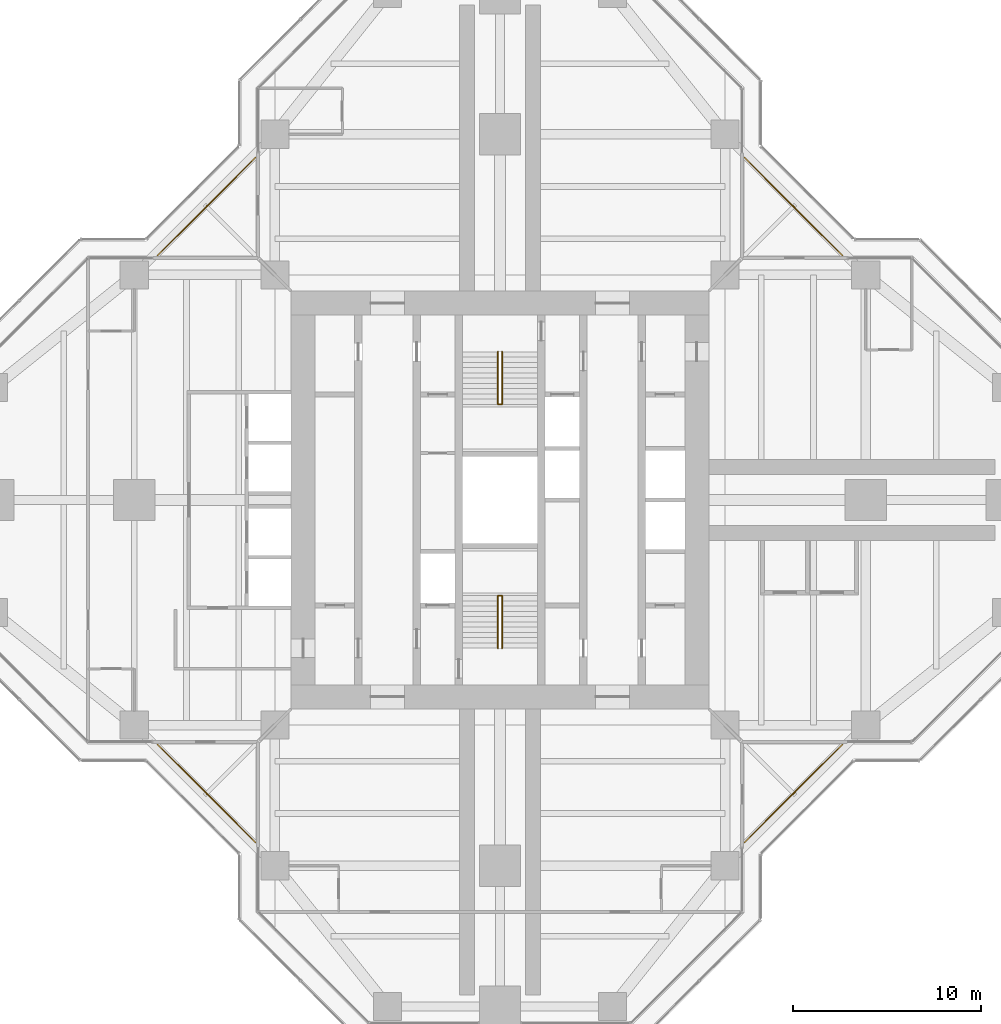
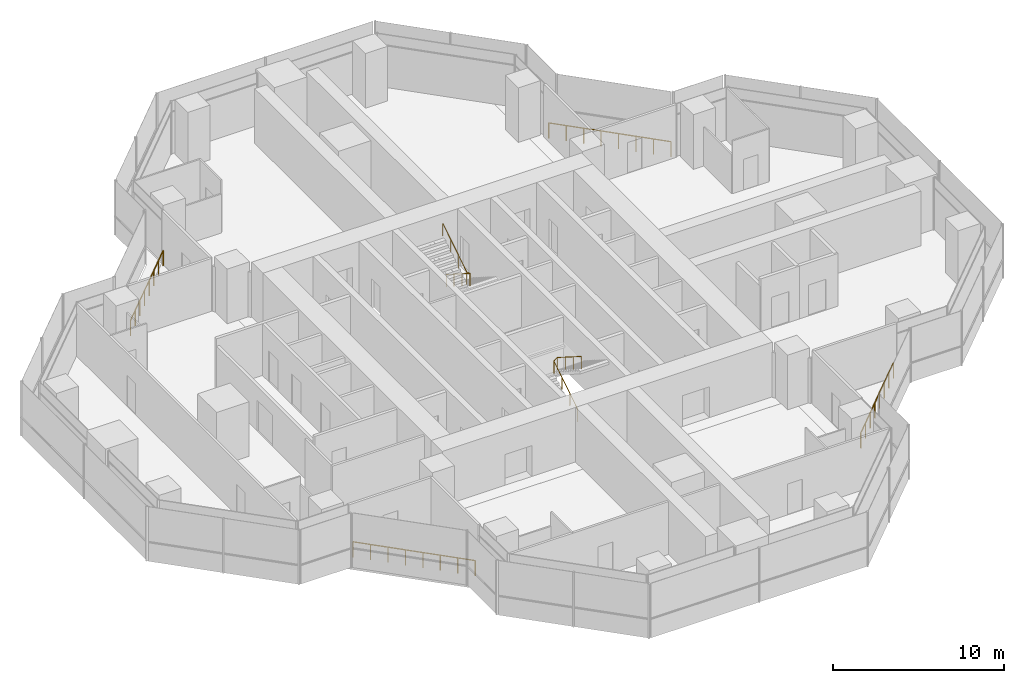
# One storey, part 17 of 17: 6 railings.
"""IFC4 building model written with IfcOpenShell, lengths in metres."""

from ifc_helpers import new_model, si_unit, direction, frame, origin, origin_2d, place, context, subcontext, project, spatial, circle, extrude, material, type_object, element, save


model = new_model("IFC4")

# Units and contexts
model_context = context("Model", 3, precision=1e-05, world=origin(), true_north=direction((0.0, 1.0)))
body_context = subcontext(model_context, "Body", "Model", "MODEL_VIEW")
ifc_project = project(units=[si_unit("LENGTHUNIT", "METRE"), si_unit("AREAUNIT", "SQUARE_METRE"), si_unit("VOLUMEUNIT", "CUBIC_METRE"), si_unit("PLANEANGLEUNIT", "RADIAN"), si_unit("MASSUNIT", "GRAM", prefix="KILO")], contexts=[model_context])

# Site, building, storey
site_placement = place(None, origin())
site = spatial("IfcSite", under=ifc_project, at=site_placement, CompositionType="ELEMENT")
building_placement = place(site_placement, origin())
building = spatial("IfcBuilding", under=site, at=building_placement, Name="Mizan Broadcast Tower", CompositionType="ELEMENT")
storey_placement = place(building_placement, frame((0.0, 0.0, 243.89990234375)))
storey = spatial("IfcBuildingStorey", under=building, at=storey_placement, Name="L57", CompositionType="ELEMENT", Elevation=243.89990234375)

# Railings
ifc_material_1 = material(Name="Stainless steel and glass guard", Category="steel")
railing_type_1 = type_object("IfcRailingType", Name="GUARD 1100", PredefinedType="GUARDRAIL", material=ifc_material_1)
railing_1_placement = place(storey_placement, frame((18.2578125, 13.030029296875, 0.0)))
element("IfcRailing", 1, at=railing_1_placement, inside=storey, type_object=railing_type_1, Name="Winter garden guard L57 E", PredefinedType="GUARDRAIL", context=body_context, shape_type="SweptSolid", body=[
    extrude(circle(Radius=0.02392578125, at=origin_2d()), frame((0.0, 0.0, 1.076171875), z_axis=(-0.707106781187, 0.707106781187, 0.0), x_axis=(-0.707106781187, -0.707106781187, 0.0)), (0.0, 0.0, 1.0), 7.393310546875),
    extrude(circle(Radius=0.02099609375, at=origin_2d()), origin(), (0.0, 0.0, 1.0), 1.052001953125),
    extrude(circle(Radius=0.02099609375, at=origin_2d()), frame((-0.746826171875, 0.746826171875, 0.0)), (0.0, 0.0, 1.0), 1.052001953125),
    extrude(circle(Radius=0.02099609375, at=origin_2d()), frame((-1.49365234375, 1.49365234375, 0.0)), (0.0, 0.0, 1.0), 1.052001953125),
    extrude(circle(Radius=0.02099609375, at=origin_2d()), frame((-2.240478515625, 2.240478515625, 0.0)), (0.0, 0.0, 1.0), 1.052001953125),
    extrude(circle(Radius=0.02099609375, at=origin_2d()), frame((-2.9873046875, 2.9873046875, 0.0)), (0.0, 0.0, 1.0), 1.052001953125),
    extrude(circle(Radius=0.02099609375, at=origin_2d()), frame((-3.734130859375, 3.734130859375, 0.0)), (0.0, 0.0, 1.0), 1.052001953125),
    extrude(circle(Radius=0.02099609375, at=origin_2d()), frame((-4.48095703125, 4.48095703125, 0.0)), (0.0, 0.0, 1.0), 1.052001953125),
    extrude(circle(Radius=0.02099609375, at=origin_2d()), frame((-5.227783203125, 5.227783203125, 0.0)), (0.0, 0.0, 1.0), 1.052001953125),
])
railing_2_placement = place(storey_placement, frame((-13.030029296875, 18.2578125, 0.0)))
element("IfcRailing", 2, at=railing_2_placement, inside=storey, type_object=railing_type_1, Name="Winter garden guard L57 N", PredefinedType="GUARDRAIL", context=body_context, shape_type="SweptSolid", body=[
    extrude(circle(Radius=0.02392578125, at=origin_2d()), frame((0.0, 0.0, 1.076171875), z_axis=(-0.707106781187, -0.707106781187, 0.0), x_axis=(0.707106781187, -0.707106781187, 0.0)), (0.0, 0.0, 1.0), 7.393310546875),
    extrude(circle(Radius=0.02099609375, at=origin_2d()), origin(), (0.0, 0.0, 1.0), 1.052001953125),
    extrude(circle(Radius=0.02099609375, at=origin_2d()), frame((-0.746826171875, -0.746826171875, 0.0)), (0.0, 0.0, 1.0), 1.052001953125),
    extrude(circle(Radius=0.02099609375, at=origin_2d()), frame((-1.49365234375, -1.49365234375, 0.0)), (0.0, 0.0, 1.0), 1.052001953125),
    extrude(circle(Radius=0.02099609375, at=origin_2d()), frame((-2.240478515625, -2.240478515625, 0.0)), (0.0, 0.0, 1.0), 1.052001953125),
    extrude(circle(Radius=0.02099609375, at=origin_2d()), frame((-2.9873046875, -2.9873046875, 0.0)), (0.0, 0.0, 1.0), 1.052001953125),
    extrude(circle(Radius=0.02099609375, at=origin_2d()), frame((-3.734130859375, -3.734130859375, 0.0)), (0.0, 0.0, 1.0), 1.052001953125),
    extrude(circle(Radius=0.02099609375, at=origin_2d()), frame((-4.48095703125, -4.48095703125, 0.0)), (0.0, 0.0, 1.0), 1.052001953125),
    extrude(circle(Radius=0.02099609375, at=origin_2d()), frame((-5.227783203125, -5.227783203125, 0.0)), (0.0, 0.0, 1.0), 1.052001953125),
])
railing_3_placement = place(storey_placement, frame((-18.2578125, -13.030029296875, 0.0)))
element("IfcRailing", 3, at=railing_3_placement, inside=storey, type_object=railing_type_1, Name="Winter garden guard L57 W", PredefinedType="GUARDRAIL", context=body_context, shape_type="SweptSolid", body=[
    extrude(circle(Radius=0.02392578125, at=origin_2d()), frame((0.0, 0.0, 1.076171875), z_axis=(0.707106781187, -0.707106781187, 0.0), x_axis=(0.707106781187, 0.707106781187, 0.0)), (0.0, 0.0, 1.0), 7.393310546875),
    extrude(circle(Radius=0.02099609375, at=origin_2d()), origin(), (0.0, 0.0, 1.0), 1.052001953125),
    extrude(circle(Radius=0.02099609375, at=origin_2d()), frame((0.746826171875, -0.746826171875, 0.0)), (0.0, 0.0, 1.0), 1.052001953125),
    extrude(circle(Radius=0.02099609375, at=origin_2d()), frame((1.49365234375, -1.49365234375, 0.0)), (0.0, 0.0, 1.0), 1.052001953125),
    extrude(circle(Radius=0.02099609375, at=origin_2d()), frame((2.240478515625, -2.240478515625, 0.0)), (0.0, 0.0, 1.0), 1.052001953125),
    extrude(circle(Radius=0.02099609375, at=origin_2d()), frame((2.9873046875, -2.9873046875, 0.0)), (0.0, 0.0, 1.0), 1.052001953125),
    extrude(circle(Radius=0.02099609375, at=origin_2d()), frame((3.734130859375, -3.734130859375, 0.0)), (0.0, 0.0, 1.0), 1.052001953125),
    extrude(circle(Radius=0.02099609375, at=origin_2d()), frame((4.48095703125, -4.48095703125, 0.0)), (0.0, 0.0, 1.0), 1.052001953125),
    extrude(circle(Radius=0.02099609375, at=origin_2d()), frame((5.227783203125, -5.227783203125, 0.0)), (0.0, 0.0, 1.0), 1.052001953125),
])
railing_4_placement = place(storey_placement, frame((13.030029296875, -18.2578125, 0.0)))
element("IfcRailing", 4, at=railing_4_placement, inside=storey, type_object=railing_type_1, Name="Winter garden guard L57 S", PredefinedType="GUARDRAIL", context=body_context, shape_type="SweptSolid", body=[
    extrude(circle(Radius=0.02392578125, at=origin_2d()), frame((0.0, 0.0, 1.076171875), z_axis=(0.707106781187, 0.707106781187, 0.0), x_axis=(-0.707106781187, 0.707106781187, 0.0)), (0.0, 0.0, 1.0), 7.393310546875),
    extrude(circle(Radius=0.02099609375, at=origin_2d()), origin(), (0.0, 0.0, 1.0), 1.052001953125),
    extrude(circle(Radius=0.02099609375, at=origin_2d()), frame((0.746826171875, 0.746826171875, 0.0)), (0.0, 0.0, 1.0), 1.052001953125),
    extrude(circle(Radius=0.02099609375, at=origin_2d()), frame((1.49365234375, 1.49365234375, 0.0)), (0.0, 0.0, 1.0), 1.052001953125),
    extrude(circle(Radius=0.02099609375, at=origin_2d()), frame((2.240478515625, 2.240478515625, 0.0)), (0.0, 0.0, 1.0), 1.052001953125),
    extrude(circle(Radius=0.02099609375, at=origin_2d()), frame((2.9873046875, 2.9873046875, 0.0)), (0.0, 0.0, 1.0), 1.052001953125),
    extrude(circle(Radius=0.02099609375, at=origin_2d()), frame((3.734130859375, 3.734130859375, 0.0)), (0.0, 0.0, 1.0), 1.052001953125),
    extrude(circle(Radius=0.02099609375, at=origin_2d()), frame((4.48095703125, 4.48095703125, 0.0)), (0.0, 0.0, 1.0), 1.052001953125),
    extrude(circle(Radius=0.02099609375, at=origin_2d()), frame((5.227783203125, 5.227783203125, 0.0)), (0.0, 0.0, 1.0), 1.052001953125),
])
ifc_material_2 = material(Name="Stainless steel", Category="steel")
railing_type_2 = type_object("IfcRailingType", Name="HANDRAIL 50", PredefinedType="HANDRAIL", material=ifc_material_2)
railing_5_placement = place(storey_placement, frame((-0.110107421875, -7.89990234375, 0.177490234375)))
element("IfcRailing", 5, at=railing_5_placement, inside=storey, type_object=railing_type_2, Name="Stair A handrail", PredefinedType="HANDRAIL", context=body_context, shape_type="SweptSolid", body=[
    extrude(circle(Radius=0.02392578125, at=origin_2d()), frame((0.0, 0.0, 0.8759765625), z_axis=(0.0, 0.844887892834, 0.53494340686), x_axis=(-1.0, 0.0, 0.0)), (0.0, 0.0, 1.0), 3.313720703125),
    extrude(circle(Radius=0.02392578125, at=origin_2d()), frame((0.0, 2.7998046875, 2.6484375), z_axis=(0.779011685263, 0.0, 0.627009405212), x_axis=(0.0, 1.0, 0.0)), (0.0, 0.0, 1.0), 0.28271484375),
    extrude(circle(Radius=0.02392578125, at=origin_2d()), frame((0.22021484375, 2.7998046875, 2.82568359375), z_axis=(0.0, -0.844887892834, 0.53494340686), x_axis=(1.0, 0.0, 0.0)), (0.0, 0.0, 1.0), 3.313720703125),
    extrude(circle(Radius=0.02099609375, at=origin_2d()), origin(), (0.0, 0.0, 1.0), 0.851806640625),
    extrude(circle(Radius=0.02099609375, at=origin_2d()), frame((0.0, 0.933349609375, 0.5908203125)), (0.0, 0.0, 1.0), 0.851806640625),
    extrude(circle(Radius=0.02099609375, at=origin_2d()), frame((0.0, 1.866455078125, 1.181884765625)), (0.0, 0.0, 1.0), 0.851806640625),
    extrude(circle(Radius=0.02099609375, at=origin_2d()), frame((0.0, 2.7998046875, 1.772705078125)), (0.0, 0.0, 1.0), 0.851806640625),
    extrude(circle(Radius=0.02099609375, at=origin_2d()), frame((0.22021484375, 2.7998046875, 1.949951171875)), (0.0, 0.0, 1.0), 0.851806640625),
    extrude(circle(Radius=0.02099609375, at=origin_2d()), frame((0.22021484375, 1.866455078125, 2.540771484375)), (0.0, 0.0, 1.0), 0.851806640625),
    extrude(circle(Radius=0.02099609375, at=origin_2d()), frame((0.22021484375, 0.933349609375, 3.1318359375)), (0.0, 0.0, 1.0), 0.851806640625),
    extrude(circle(Radius=0.02099609375, at=origin_2d()), frame((0.22021484375, 0.0, 3.72265625)), (0.0, 0.0, 1.0), 0.851806640625),
])
railing_6_placement = place(storey_placement, frame((0.110107421875, 7.89990234375, 0.177490234375)))
element("IfcRailing", 6, at=railing_6_placement, inside=storey, type_object=railing_type_2, Name="Stair B handrail", PredefinedType="HANDRAIL", context=body_context, shape_type="SweptSolid", body=[
    extrude(circle(Radius=0.02392578125, at=origin_2d()), frame((0.0, 0.0, 0.8759765625), z_axis=(0.0, -0.844887892834, 0.53494340686), x_axis=(1.0, 0.0, 0.0)), (0.0, 0.0, 1.0), 3.313720703125),
    extrude(circle(Radius=0.02392578125, at=origin_2d()), frame((0.0, -2.7998046875, 2.6484375), z_axis=(-0.779011685263, 0.0, 0.627009405212), x_axis=(0.0, -1.0, 0.0)), (0.0, 0.0, 1.0), 0.28271484375),
    extrude(circle(Radius=0.02392578125, at=origin_2d()), frame((-0.22021484375, -2.7998046875, 2.82568359375), z_axis=(0.0, 0.844887892834, 0.53494340686), x_axis=(-1.0, 0.0, 0.0)), (0.0, 0.0, 1.0), 3.313720703125),
    extrude(circle(Radius=0.02099609375, at=origin_2d()), origin(), (0.0, 0.0, 1.0), 0.851806640625),
    extrude(circle(Radius=0.02099609375, at=origin_2d()), frame((0.0, -0.933349609375, 0.5908203125)), (0.0, 0.0, 1.0), 0.851806640625),
    extrude(circle(Radius=0.02099609375, at=origin_2d()), frame((0.0, -1.866455078125, 1.181884765625)), (0.0, 0.0, 1.0), 0.851806640625),
    extrude(circle(Radius=0.02099609375, at=origin_2d()), frame((0.0, -2.7998046875, 1.772705078125)), (0.0, 0.0, 1.0), 0.851806640625),
    extrude(circle(Radius=0.02099609375, at=origin_2d()), frame((-0.22021484375, -2.7998046875, 1.949951171875)), (0.0, 0.0, 1.0), 0.851806640625),
    extrude(circle(Radius=0.02099609375, at=origin_2d()), frame((-0.22021484375, -1.866455078125, 2.540771484375)), (0.0, 0.0, 1.0), 0.851806640625),
    extrude(circle(Radius=0.02099609375, at=origin_2d()), frame((-0.22021484375, -0.933349609375, 3.1318359375)), (0.0, 0.0, 1.0), 0.851806640625),
    extrude(circle(Radius=0.02099609375, at=origin_2d()), frame((-0.22021484375, 0.0, 3.72265625)), (0.0, 0.0, 1.0), 0.851806640625),
])

save(model, "model.ifc")
